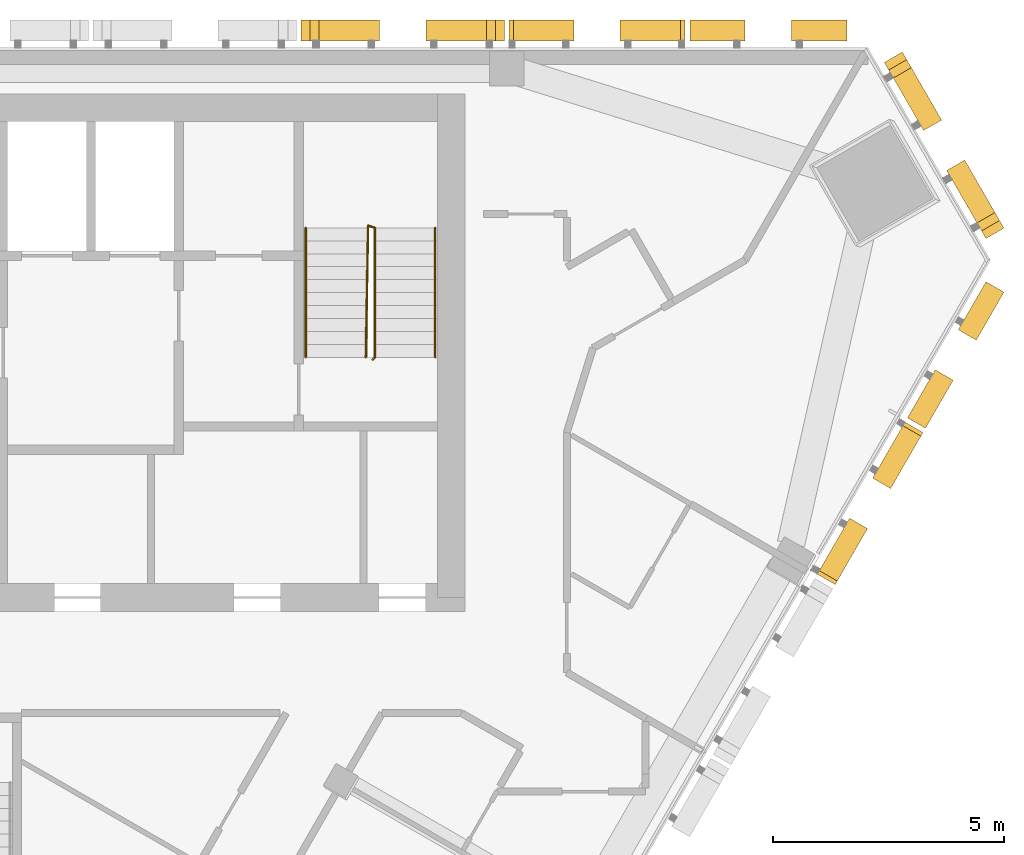
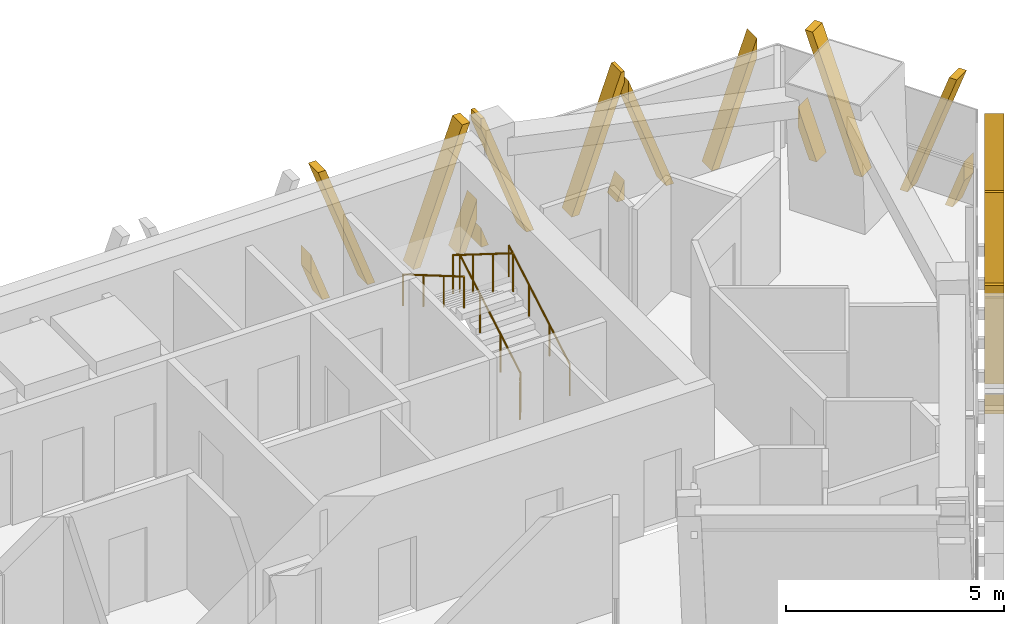
# One storey, part 14 of 15: 6 shading devices, 3 railings.
"""IFC4 building model written with IfcOpenShell, lengths in metres."""

from ifc_helpers import new_model, si_unit, direction, frame, origin, origin_2d, place, context, subcontext, project, spatial, polyline, circle, outline, extrude, source, transform, mapped, material, type_object, element, save


model = new_model("IFC4")

# Units and contexts
model_context = context("Model", 3, precision=1e-05, world=origin(), true_north=direction((0.0, 1.0)))
body_context = subcontext(model_context, "Body", "Model", "MODEL_VIEW")
ifc_project = project(units=[si_unit("LENGTHUNIT", "METRE"), si_unit("AREAUNIT", "SQUARE_METRE"), si_unit("VOLUMEUNIT", "CUBIC_METRE"), si_unit("PLANEANGLEUNIT", "RADIAN"), si_unit("MASSUNIT", "GRAM", prefix="KILO")], contexts=[model_context])

# Site, building, storey
site_placement = place(None, origin())
site = spatial("IfcSite", under=ifc_project, at=site_placement, CompositionType="ELEMENT")
building_placement = place(site_placement, origin())
building = spatial("IfcBuilding", under=site, at=building_placement, Name="Altiplano Prism Tower", CompositionType="ELEMENT")
storey_placement = place(building_placement, frame((0.0, 0.0, 246.39990234375)))
storey = spatial("IfcBuildingStorey", under=building, at=storey_placement, Name="L63", CompositionType="ELEMENT", Elevation=246.39990234375)

# Railings
ifc_material_1 = material(Name="Steel S355", Category="steel")
railing_type_1 = type_object("IfcRailingType", Name="Stair guard 1100", PredefinedType="GUARDRAIL", material=ifc_material_1)
railing_1_placement = place(storey_placement, frame((95.60009765625, 98.25, 0.0)))
element("IfcRailing", 1, at=railing_1_placement, inside=storey, type_object=railing_type_1, Name="L63 ST2 stair guard 1", PredefinedType="GUARDRAIL", context=body_context, shape_type="SweptSolid", body=[
    extrude(circle(Radius=0.02392578125, at=origin_2d()), frame((0.0, 0.0, 1.076171875), z_axis=(0.279194930351, 0.280563532951, 0.91833234444), x_axis=(-0.708833529934, 0.705375805398, 0.0)), (0.0, 0.0, 1.0), 0.178466796875),
    extrude(circle(Radius=0.02392578125, at=origin_2d()), frame((0.0498046875, 0.050048828125, 1.23974609375), z_axis=(0.0, 0.863393664356, 0.504530851732), x_axis=(-1.0, 0.0, 0.0)), (0.0, 0.0, 1.0), 3.2431640625),
    extrude(circle(Radius=0.02392578125, at=origin_2d()), frame((0.0498046875, 2.85009765625, 2.8759765625), z_axis=(-0.948991962702, 0.315300261223, 0.0), x_axis=(-0.315300261223, -0.948991962702, 0.0)), (0.0, 0.0, 1.0), 0.157958984375),
    extrude(circle(Radius=0.02392578125, at=origin_2d()), frame((-0.10009765625, 2.89990234375, 2.8759765625), z_axis=(-0.014846418356, -0.845376787675, 0.533964109957), x_axis=(0.999845825584, -0.017559187376, 0.0)), (0.0, 0.0, 1.0), 3.37109375),
    extrude(circle(Radius=0.02099609375, at=origin_2d()), origin(), (0.0, 0.0, 1.0), 1.052001953125),
    extrude(circle(Radius=0.02099609375, at=origin_2d()), frame((0.0498046875, 0.050048828125, 0.163818359375)), (0.0, 0.0, 1.0), 1.052001953125),
    extrude(circle(Radius=0.02099609375, at=origin_2d()), frame((0.0498046875, 0.9833984375, 0.709228515625)), (0.0, 0.0, 1.0), 1.052001953125),
    extrude(circle(Radius=0.02099609375, at=origin_2d()), frame((0.0498046875, 1.916748046875, 1.254638671875)), (0.0, 0.0, 1.0), 1.052001953125),
    extrude(circle(Radius=0.02099609375, at=origin_2d()), frame((0.0498046875, 2.85009765625, 1.800048828125)), (0.0, 0.0, 1.0), 1.052001953125),
    extrude(circle(Radius=0.02099609375, at=origin_2d()), frame((-0.10009765625, 2.89990234375, 1.800048828125)), (0.0, 0.0, 1.0), 1.052001953125),
    extrude(circle(Radius=0.02099609375, at=origin_2d()), frame((-0.11669921875, 1.949951171875, 2.400146484375)), (0.0, 0.0, 1.0), 1.052001953125),
    extrude(circle(Radius=0.02099609375, at=origin_2d()), frame((-0.133544921875, 1.0, 3.0)), (0.0, 0.0, 1.0), 1.052001953125),
    extrude(circle(Radius=0.02099609375, at=origin_2d()), frame((-0.150146484375, 0.050048828125, 3.60009765625)), (0.0, 0.0, 1.0), 1.052001953125),
])
railing_type_2 = type_object("IfcRailingType", Name="Stair handrail 900", PredefinedType="HANDRAIL", material=ifc_material_1)
railing_2_placement = place(storey_placement, frame((96.949951171875, 98.300048828125, 0.163818359375)))
element("IfcRailing", 2, at=railing_2_placement, inside=storey, type_object=railing_type_2, Name="L63 ST2 stair handrail 1", PredefinedType="HANDRAIL", context=body_context, shape_type="SweptSolid", body=[
    extrude(circle(Radius=0.02392578125, at=origin_2d()), frame((0.0, 0.0, 0.8759765625), z_axis=(0.0, 0.863393664356, 0.504530851732), x_axis=(-1.0, 0.0, 0.0)), (0.0, 0.0, 1.0), 3.2431640625),
    extrude(circle(Radius=0.02099609375, at=origin_2d()), origin(), (0.0, 0.0, 1.0), 0.851806640625),
    extrude(circle(Radius=0.02099609375, at=origin_2d()), frame((0.0, 0.933349609375, 0.54541015625)), (0.0, 0.0, 1.0), 0.851806640625),
    extrude(circle(Radius=0.02099609375, at=origin_2d()), frame((0.0, 1.86669921875, 1.0908203125)), (0.0, 0.0, 1.0), 0.851806640625),
    extrude(circle(Radius=0.02099609375, at=origin_2d()), frame((0.0, 2.800048828125, 1.63623046875)), (0.0, 0.0, 1.0), 0.851806640625),
])
railing_3_placement = place(storey_placement, frame((94.14990234375, 101.10009765625, 1.963623046875)))
element("IfcRailing", 3, at=railing_3_placement, inside=storey, type_object=railing_type_2, Name="L63 ST2 stair handrail 2", PredefinedType="HANDRAIL", context=body_context, shape_type="SweptSolid", body=[
    extrude(circle(Radius=0.02392578125, at=origin_2d()), frame((0.0, 0.0, 0.8759765625), z_axis=(0.0, -0.863360870873, 0.504586966384), x_axis=(1.0, 0.0, 0.0)), (0.0, 0.0, 1.0), 3.2431640625),
    extrude(circle(Radius=0.02099609375, at=origin_2d()), origin(), (0.0, 0.0, 1.0), 0.851806640625),
    extrude(circle(Radius=0.02099609375, at=origin_2d()), frame((0.0, -0.933349609375, 0.54541015625)), (0.0, 0.0, 1.0), 0.851806640625),
    extrude(circle(Radius=0.02099609375, at=origin_2d()), frame((0.0, -1.86669921875, 1.091064453125)), (0.0, 0.0, 1.0), 0.851806640625),
    extrude(circle(Radius=0.02099609375, at=origin_2d()), frame((0.0, -2.800048828125, 1.636474609375)), (0.0, 0.0, 1.0), 0.851806640625),
])

# Shading devices
ifc_material_2 = material(Name="Warm limestone cast stone", Category="masonry")
shading_device_type_1 = type_object("IfcShadingDeviceType", Name="Stone fin panel, standard unit", PredefinedType="USERDEFINED", material=ifc_material_2)
shared_shape_1 = source(origin(), body_context, "Body", "SweptSolid", [
    extrude(outline(polyline([(-2.199951171875, 1.373779296875), (-2.199951171875, 0.82421875), (-1.89990234375, 0.0), (-1.699951171875, 0.0), (-2.199951171875, 1.373779296875)])), frame((0.0, -0.14990234375, 0.0), z_axis=(0.0, -1.0, 0.0), x_axis=(1.0, 0.0, 0.0)), (0.0, 0.0, 1.0), 0.4501953125),
    extrude(outline(polyline([(-2.01025390625, 3.60009765625), (-0.699951171875, 0.0), (-0.5, 0.0), (-1.810302734375, 3.60009765625), (-2.01025390625, 3.60009765625)])), frame((0.0, -0.14990234375, 0.0), z_axis=(0.0, -1.0, 0.0), x_axis=(1.0, 0.0, 0.0)), (0.0, 0.0, 1.0), 0.4501953125),
    extrude(outline(polyline([(1.810302734375, 3.60009765625), (0.5, 0.0), (0.699951171875, 0.0), (2.01025390625, 3.60009765625), (1.810302734375, 3.60009765625)])), frame((0.0, -0.14990234375, 0.0), z_axis=(0.0, -1.0, 0.0), x_axis=(1.0, 0.0, 0.0)), (0.0, 0.0, 1.0), 0.4501953125),
    extrude(outline(polyline([(2.199951171875, 0.82421875), (2.199951171875, 1.373779296875), (1.699951171875, 0.0), (1.89990234375, 0.0), (2.199951171875, 0.82421875)])), frame((0.0, -0.14990234375, 0.0), z_axis=(0.0, -1.0, 0.0), x_axis=(1.0, 0.0, 0.0)), (0.0, 0.0, 1.0), 0.4501953125),
])
shading_device_1_placement = place(storey_placement, origin())
element("IfcShadingDevice", 4, at=shading_device_1_placement, inside=storey, type_object=shading_device_type_1, Name="Fin L63 north face 3", ObjectType="FIN", PredefinedType="USERDEFINED", context=body_context, shape_type="MappedRepresentation", body=[
    mapped(shared_shape_1, transform((96.25, 105.0, -0.39990234375), x_axis=(-1.0, 0.0, 0.0), y_axis=(0.0, -1.0, 0.0), z_axis=(0.0, 0.0, 1.0))),
])
shading_device_type_2 = type_object("IfcShadingDeviceType", Name="Stone fin panel, chamfer unit", PredefinedType="USERDEFINED", material=ifc_material_2)
shading_device_2_placement = place(storey_placement, origin())
element("IfcShadingDevice", 5, at=shading_device_2_placement, inside=storey, type_object=shading_device_type_2, Name="Fin L63 north-east chamfer 1", ObjectType="FIN", PredefinedType="USERDEFINED", context=body_context, shape_type="MappedRepresentation", body=[
    mapped(shared_shape_1, transform((107.641357421875, 102.701171875, -0.39990234375), x_axis=(-0.500000016987, 0.866025393977, 0.0), y_axis=(-0.866025393977, -0.500000016987, 0.0), z_axis=(0.0, 0.0, 1.0))),
])
shading_device_type_3 = type_object("IfcShadingDeviceType", Name="Stone fin panel, narrow closing bay", PredefinedType="USERDEFINED", material=ifc_material_2)
shared_shape_2 = source(origin(), body_context, "Body", "SweptSolid", [
    extrude(outline(polyline([(-1.699951171875, 3.297119140625), (-1.699951171875, 2.74755859375), (-0.699951171875, 0.0), (-0.5, 0.0), (-1.699951171875, 3.297119140625)])), frame((0.0, -0.14990234375, 0.0), z_axis=(0.0, -1.0, 0.0), x_axis=(1.0, 0.0, 0.0)), (0.0, 0.0, 1.0), 0.4501953125),
    extrude(outline(polyline([(1.699951171875, 2.74755859375), (1.699951171875, 3.297119140625), (0.5, 0.0), (0.699951171875, 0.0), (1.699951171875, 2.74755859375)])), frame((0.0, -0.14990234375, 0.0), z_axis=(0.0, -1.0, 0.0), x_axis=(1.0, 0.0, 0.0)), (0.0, 0.0, 1.0), 0.4501953125),
])
shading_device_3_placement = place(storey_placement, origin())
element("IfcShadingDevice", 6, at=shading_device_3_placement, inside=storey, type_object=shading_device_type_3, Name="Fin L63 north face 1", ObjectType="FIN", PredefinedType="USERDEFINED", context=body_context, shape_type="MappedRepresentation", body=[
    mapped(shared_shape_2, transform((104.16064453125, 105.0, -0.39990234375), x_axis=(-1.0, 0.0, 0.0), y_axis=(0.0, -1.0, 0.0), z_axis=(0.0, 0.0, 1.0))),
])
shading_device_4_placement = place(storey_placement, origin())
element("IfcShadingDevice", 7, at=shading_device_4_placement, inside=storey, type_object=shading_device_type_3, Name="Fin L63 south-east face 10", ObjectType="FIN", PredefinedType="USERDEFINED", context=body_context, shape_type="MappedRepresentation", body=[
    mapped(shared_shape_2, transform((107.891845703125, 98.537109375, -0.39990234375), x_axis=(0.500000006139, 0.86602540024, 0.0), y_axis=(-0.86602540024, 0.500000006139, 0.0), z_axis=(0.0, 0.0, 1.0))),
])
shared_shape_3 = source(origin(), body_context, "Body", "SweptSolid", [
    extrude(outline(polyline([(-1.89990234375, 3.60009765625), (-1.89990234375, 3.297119140625), (-0.699951171875, 0.0), (-0.5, 0.0), (-1.810302734375, 3.60009765625), (-1.89990234375, 3.60009765625)])), frame((0.0, -0.14990234375, 0.0), z_axis=(0.0, -1.0, 0.0), x_axis=(1.0, 0.0, 0.0)), (0.0, 0.0, 1.0), 0.4501953125),
    extrude(outline(polyline([(-1.89990234375, 0.549560546875), (-1.89990234375, 0.0), (-1.699951171875, 0.0), (-1.89990234375, 0.549560546875)])), frame((0.0, -0.14990234375, 0.0), z_axis=(0.0, -1.0, 0.0), x_axis=(1.0, 0.0, 0.0)), (0.0, 0.0, 1.0), 0.4501953125),
    extrude(outline(polyline([(1.810302734375, 3.60009765625), (0.5, 0.0), (0.699951171875, 0.0), (1.89990234375, 3.297119140625), (1.89990234375, 3.60009765625), (1.810302734375, 3.60009765625)])), frame((0.0, -0.14990234375, 0.0), z_axis=(0.0, -1.0, 0.0), x_axis=(1.0, 0.0, 0.0)), (0.0, 0.0, 1.0), 0.4501953125),
    extrude(outline(polyline([(1.89990234375, 0.0), (1.89990234375, 0.549560546875), (1.699951171875, 0.0), (1.89990234375, 0.0)])), frame((0.0, -0.14990234375, 0.0), z_axis=(0.0, -1.0, 0.0), x_axis=(1.0, 0.0, 0.0)), (0.0, 0.0, 1.0), 0.4501953125),
])
shading_device_5_placement = place(storey_placement, origin())
element("IfcShadingDevice", 8, at=shading_device_5_placement, inside=storey, type_object=shading_device_type_3, Name="Fin L63 north face 2", ObjectType="FIN", PredefinedType="USERDEFINED", context=body_context, shape_type="MappedRepresentation", body=[
    mapped(shared_shape_3, transform((100.45361328125, 105.0, -0.39990234375), x_axis=(-1.0, 0.0, 0.0), y_axis=(0.0, -1.0, 0.0), z_axis=(0.0, 0.0, 1.0))),
])
shading_device_6_placement = place(storey_placement, origin())
element("IfcShadingDevice", 9, at=shading_device_6_placement, inside=storey, type_object=shading_device_type_3, Name="Fin L63 south-east face 9", ObjectType="FIN", PredefinedType="USERDEFINED", context=body_context, shape_type="MappedRepresentation", body=[
    mapped(shared_shape_3, transform((106.038330078125, 95.32666015625, -0.39990234375), x_axis=(0.500000006139, 0.86602540024, 0.0), y_axis=(-0.86602540024, 0.500000006139, 0.0), z_axis=(0.0, 0.0, 1.0))),
])

save(model, "model.ifc")
